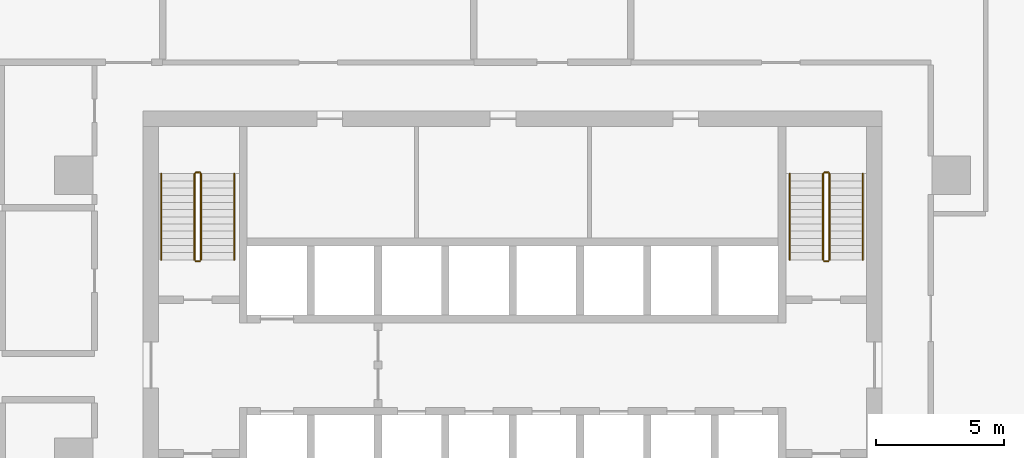
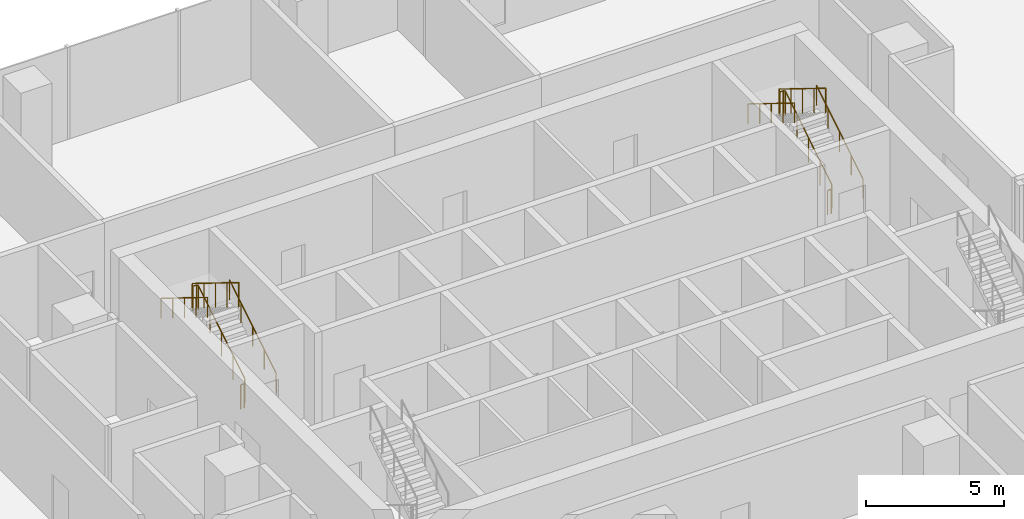
# One storey, part 14 of 15: 10 railings.
"""IFC4 building model written with IfcOpenShell, lengths in metres."""

import ifcopenshell
import ifcopenshell.guid

model = None  # the IFC model being written
_history = None  # IfcOwnerHistory: only IFC2X3 demands one
_inside = {}  # id of a spatial element -> (the spatial element, [elements in it])
_under = {}  # id of a project, library or spatial element -> (it, [spatial elements below it])
_declared = {}  # id of a project -> (the project, [libraries it declares])
_typed = {}  # id of a type object -> (the type object, [elements of that type])
_made_of = {}  # id of a material, layer set ... -> (it, [elements and type objects made of it])


def new_model(schema):
    """Start an empty IFC model of exactly this schema.

    Asked for "IFC4X3", IfcOpenShell would pick the latest addendum, in which some entities
    have other attributes; the version numbers below select the first issue.
    IFC2X3 requires an IfcOwnerHistory on every rooted entity: one is made here for all.
    """
    global model, _history
    if schema == "IFC4X3":
        model = ifcopenshell.file(schema_version=(4, 3, 0, 0))
    else:
        model = ifcopenshell.file(schema=schema)
    _inside.clear()
    _under.clear()
    _declared.clear()
    _typed.clear()
    _made_of.clear()
    _history = None
    if model.schema == "IFC2X3":
        org = make("IfcOrganization", Name="unknown")
        user = make(
            "IfcPersonAndOrganization",
            ThePerson=make("IfcPerson", FamilyName="unknown"),
            TheOrganization=org,
        )
        app = make(
            "IfcApplication",
            ApplicationDeveloper=org,
            Version="unknown",
            ApplicationFullName="unknown",
            ApplicationIdentifier="unknown",
        )
        _history = make(
            "IfcOwnerHistory",
            OwningUser=user,
            OwningApplication=app,
            ChangeAction="ADDED",
            CreationDate=0,
        )
    return model


def make(cls, **values):
    """One entity of the class cls with the attributes given. An attribute that is None is left unset."""
    return model.create_entity(
        cls, **{name: value for name, value in values.items() if value is not None}
    )


def rooted(cls, **values):
    """An entity with a GlobalId (a new one), such as an element, a storey or a relation."""
    return make(cls, GlobalId=ifcopenshell.guid.new(), OwnerHistory=_history, **values)


def si_unit(unit_type, name, prefix=None):
    """IfcSIUnit, for example si_unit("LENGTHUNIT", "METRE", prefix="MILLI")."""
    return make("IfcSIUnit", UnitType=unit_type, Prefix=prefix, Name=name)


def assignment(units):
    """IfcUnitAssignment: the units of a project."""
    return None if units is None else make("IfcUnitAssignment", Units=units)


def point(xyz):
    """IfcCartesianPoint."""
    return None if xyz is None else make("IfcCartesianPoint", Coordinates=xyz)


def direction(xyz):
    """IfcDirection."""
    return None if xyz is None else make("IfcDirection", DirectionRatios=xyz)


def frame(location, z_axis=None, x_axis=None):
    """IfcAxis2Placement3D, a coordinate frame: its origin and axes. An axis left out is left unset."""
    return make(
        "IfcAxis2Placement3D",
        Location=point(location),
        Axis=direction(z_axis),
        RefDirection=direction(x_axis),
    )


def frame_2d(location, x_axis=None):
    """IfcAxis2Placement2D, a coordinate frame in the plane: its origin and x axis."""
    return make(
        "IfcAxis2Placement2D", Location=point(location), RefDirection=direction(x_axis)
    )


def origin():
    """The frame at (0, 0, 0) with its axes left unset."""
    return frame((0.0, 0.0, 0.0))


def origin_2d():
    """The frame at (0, 0) in the plane with its x axis left unset."""
    return frame_2d((0.0, 0.0))


def place(relative_to, where):
    """IfcLocalPlacement: puts the frame where relative to a parent placement (None: the world)."""
    return make(
        "IfcLocalPlacement", PlacementRelTo=relative_to, RelativePlacement=where
    )


def context(
    kind, dimensions, precision=None, world=None, true_north=None, identifier=None
):
    """IfcGeometricRepresentationContext, for example the 3D "Model" context."""
    return make(
        "IfcGeometricRepresentationContext",
        ContextIdentifier=identifier,
        ContextType=kind,
        CoordinateSpaceDimension=dimensions,
        Precision=precision,
        WorldCoordinateSystem=world,
        TrueNorth=true_north,
    )


def subcontext(parent, identifier, kind, view, scale=None):
    """IfcGeometricRepresentationSubContext, for example "Body" below "Model"."""
    return make(
        "IfcGeometricRepresentationSubContext",
        ContextIdentifier=identifier,
        ContextType=kind,
        ParentContext=parent,
        TargetScale=scale,
        TargetView=view,
    )


def project(units=None, contexts=None):
    """IfcProject with its units and contexts."""
    return rooted(
        "IfcProject",
        Name="project",
        RepresentationContexts=contexts,
        UnitsInContext=assignment(units),
    )


def spatial(cls, under=None, at=None, **own):
    """A site, building, storey or space (cls), placed at a placement, below another one or the project."""
    s = rooted(cls, ObjectPlacement=at, **own)
    if under is not None:
        _under.setdefault(under.id(), (under, []))[1].append(s)
    return s


def profile(cls, at=None, kind="AREA", **sizes):
    """A parametric profile (cls). Its sizes go by their IFC names, for example OverallWidth=200.0."""
    return make(cls, ProfileType=kind, Position=at, **sizes)


def circle(**sizes):
    """IfcCircleProfileDef."""
    return profile("IfcCircleProfileDef", **sizes)


def extrude(swept, where, along, depth):
    """IfcExtrudedAreaSolid: the profile swept, set in the frame where, extruded along a direction by depth."""
    return make(
        "IfcExtrudedAreaSolid",
        SweptArea=swept,
        Position=where,
        ExtrudedDirection=direction(along),
        Depth=depth,
    )


def shape(context_of_items, identifier, shape_type, items):
    """IfcShapeRepresentation: the items that make up one representation, for example the "Body"."""
    return make(
        "IfcShapeRepresentation",
        ContextOfItems=context_of_items,
        RepresentationIdentifier=identifier,
        RepresentationType=shape_type,
        Items=items,
    )


def material(Name=None, Category=None):
    """IfcMaterial."""
    return make("IfcMaterial", Name=Name, Category=Category)


def made_of(thing, what):
    """Note that an element or type object is made of a material, layer set ...; save() writes the relation."""
    if what is not None:
        _made_of.setdefault(what.id(), (what, []))[1].append(thing)
    return thing


def type_object(cls, material=None, **own):
    """A type object (cls), such as IfcWallType, which elements share."""
    return made_of(rooted(cls, **own), material)


def element(
    cls,
    number,
    at=None,
    inside=None,
    cuts=None,
    type_object=None,
    material=None,
    context=None,
    identifier="Body",
    shape_type=None,
    held_by="IfcProductDefinitionShape",
    body=None,
    shapes=None,
    **own,
):
    """One element of the class cls, such as IfcWall. Its Tag is "e" and its number.

    at: its placement. inside: the storey or other place that contains it. cuts: it is an
    opening in that element (IfcRelVoidsElement). A single representation is given by context,
    identifier, shape_type and body (its items); several are given by shapes. held_by: the class
    of the entity that holds the representations. save() writes the other relations.
    """
    e = rooted(cls, Tag="e%d" % number, ObjectPlacement=at, **own)
    if body is not None:
        shapes = [shape(context, identifier, shape_type, body)]
    if shapes is not None:
        e.Representation = make(held_by, Representations=shapes)
    if inside is not None:
        _inside.setdefault(inside.id(), (inside, []))[1].append(e)
    if cuts is not None:
        rooted(
            "IfcRelVoidsElement", RelatingBuildingElement=cuts, RelatedOpeningElement=e
        )
    if type_object is not None:
        _typed.setdefault(type_object.id(), (type_object, []))[1].append(e)
    return made_of(e, material)


def aggregate(whole, parts):
    """IfcRelAggregates: a whole, such as a stair, and the parts it consists of."""
    return rooted("IfcRelAggregates", RelatingObject=whole, RelatedObjects=parts)


def save(model, path):
    """Write the relations noted so far, then the file.

    IfcRelAggregates (storeys below a building ...), IfcRelContainedInSpatialStructure (elements
    in a storey), IfcRelDefinesByType, IfcRelAssociatesMaterial and IfcRelDeclares: one each for
    every whole, place, type object, material and project.
    """
    for whole, parts in _under.values():
        aggregate(whole, parts)
    for where, things in _inside.values():
        rooted(
            "IfcRelContainedInSpatialStructure",
            RelatedElements=things,
            RelatingStructure=where,
        )
    for kind, things in _typed.values():
        rooted("IfcRelDefinesByType", RelatedObjects=things, RelatingType=kind)
    for what, things in _made_of.values():
        rooted("IfcRelAssociatesMaterial", RelatedObjects=things, RelatingMaterial=what)
    for by, libraries in _declared.values():
        rooted("IfcRelDeclares", RelatingContext=by, RelatedDefinitions=libraries)
    model.write(path)


model = new_model("IFC4")

# Units and contexts
model_context = context("Model", 3, precision=1e-05, world=origin(), true_north=direction((0.0, 1.0)))
body_context = subcontext(model_context, "Body", "Model", "MODEL_VIEW")
ifc_project = project(units=[si_unit("LENGTHUNIT", "METRE"), si_unit("AREAUNIT", "SQUARE_METRE"), si_unit("VOLUMEUNIT", "CUBIC_METRE"), si_unit("PLANEANGLEUNIT", "RADIAN"), si_unit("MASSUNIT", "GRAM", prefix="KILO")], contexts=[model_context])

# Site, building, storey
site_placement = place(None, origin())
site = spatial("IfcSite", under=ifc_project, at=site_placement, CompositionType="ELEMENT")
building_placement = place(site_placement, origin())
building = spatial("IfcBuilding", under=site, at=building_placement, Name="Mopane Tessera Tower", CompositionType="ELEMENT")
storey_placement = place(building_placement, frame((0.0, 0.0, 112.60009765625)))
storey = spatial("IfcBuildingStorey", under=building, at=storey_placement, Name="L22", CompositionType="ELEMENT", Elevation=112.60009765625)

# Railings
ifc_material_1 = material(Name="Powder-coated steel balustrade", Category="steel")
railing_type_1 = type_object("IfcRailingType", Name="Escape stair guard 1100 mm", PredefinedType="GUARDRAIL", material=ifc_material_1)
railing_1_placement = place(storey_placement, frame((-12.14990234375, 7.699951171875, 0.173095703125)))
element("IfcRailing", 1, at=railing_1_placement, inside=storey, type_object=railing_type_1, Name="L22 ST2 stair guard 1", PredefinedType="GUARDRAIL", context=body_context, shape_type="SweptSolid", body=[
    extrude(circle(Radius=0.02392578125, at=origin_2d()), frame((0.0, 0.0, 1.076171875), z_axis=(0.0, 0.850623216509, 0.525775754039), x_axis=(-1.0, 0.0, 0.0)), (0.0, 0.0, 1.0), 3.9501953125),
    extrude(circle(Radius=0.02392578125, at=origin_2d()), frame((0.0, 3.360107421875, 3.15283203125), z_axis=(-0.707106781187, 0.707106781187, 0.0), x_axis=(-0.707106781187, -0.707106781187, 0.0)), (0.0, 0.0, 1.0), 0.07080078125),
    extrude(circle(Radius=0.02392578125, at=origin_2d()), frame((-0.050048828125, 3.41015625, 3.15283203125), z_axis=(-1.0, 0.0, 0.0), x_axis=(0.0, -1.0, 0.0)), (0.0, 0.0, 1.0), 0.150146484375),
    extrude(circle(Radius=0.02099609375, at=origin_2d()), origin(), (0.0, 0.0, 1.0), 1.052001953125),
    extrude(circle(Radius=0.02099609375, at=origin_2d()), frame((0.0, 0.840087890625, 0.519287109375)), (0.0, 0.0, 1.0), 1.052001953125),
    extrude(circle(Radius=0.02099609375, at=origin_2d()), frame((0.0, 1.68017578125, 1.03857421875)), (0.0, 0.0, 1.0), 1.052001953125),
    extrude(circle(Radius=0.02099609375, at=origin_2d()), frame((0.0, 2.52001953125, 1.5576171875)), (0.0, 0.0, 1.0), 1.052001953125),
    extrude(circle(Radius=0.02099609375, at=origin_2d()), frame((0.0, 3.360107421875, 2.076904296875)), (0.0, 0.0, 1.0), 1.052001953125),
    extrude(circle(Radius=0.02099609375, at=origin_2d()), frame((-0.050048828125, 3.41015625, 2.076904296875)), (0.0, 0.0, 1.0), 1.052001953125),
    extrude(circle(Radius=0.02099609375, at=origin_2d()), frame((-0.2001953125, 3.41015625, 2.076904296875)), (0.0, 0.0, 1.0), 1.052001953125),
])
railing_2_placement = place(storey_placement, frame((-12.39990234375, 11.06005859375, 2.423095703125)))
element("IfcRailing", 2, at=railing_2_placement, inside=storey, type_object=railing_type_1, Name="L22 ST2 stair guard 2", PredefinedType="GUARDRAIL", context=body_context, shape_type="SweptSolid", body=[
    extrude(circle(Radius=0.02392578125, at=origin_2d()), frame((0.0, 0.0, 1.076171875), z_axis=(0.0, -0.850623216509, 0.525775754039), x_axis=(1.0, 0.0, 0.0)), (0.0, 0.0, 1.0), 3.9501953125),
    extrude(circle(Radius=0.02099609375, at=origin_2d()), origin(), (0.0, 0.0, 1.0), 1.052001953125),
    extrude(circle(Radius=0.02099609375, at=origin_2d()), frame((0.0, -0.840087890625, 0.519287109375)), (0.0, 0.0, 1.0), 1.052001953125),
    extrude(circle(Radius=0.02099609375, at=origin_2d()), frame((0.0, -1.68017578125, 1.03857421875)), (0.0, 0.0, 1.0), 1.052001953125),
    extrude(circle(Radius=0.02099609375, at=origin_2d()), frame((0.0, -2.52001953125, 1.5576171875)), (0.0, 0.0, 1.0), 1.052001953125),
    extrude(circle(Radius=0.02099609375, at=origin_2d()), frame((0.0, -3.360107421875, 2.076904296875)), (0.0, 0.0, 1.0), 1.052001953125),
])
railing_3_placement = place(storey_placement, frame((-12.199951171875, 7.64990234375, 0.0)))
element("IfcRailing", 3, at=railing_3_placement, inside=storey, type_object=railing_type_1, Name="L22 ST2 stair guard 3", PredefinedType="GUARDRAIL", context=body_context, shape_type="SweptSolid", body=[
    extrude(circle(Radius=0.02392578125, at=origin_2d()), frame((0.0, 0.0, 1.076171875), z_axis=(-1.0, 0.0, 0.0), x_axis=(0.0, -1.0, 0.0)), (0.0, 0.0, 1.0), 0.150146484375),
    extrude(circle(Radius=0.02099609375, at=origin_2d()), origin(), (0.0, 0.0, 1.0), 1.052001953125),
    extrude(circle(Radius=0.02099609375, at=origin_2d()), frame((-0.150146484375, 0.0, 0.0)), (0.0, 0.0, 1.0), 1.052001953125),
])
railing_4_placement = place(storey_placement, frame((12.35009765625, 7.699951171875, 0.173095703125)))
element("IfcRailing", 4, at=railing_4_placement, inside=storey, type_object=railing_type_1, Name="L22 ST4 stair guard 1", PredefinedType="GUARDRAIL", context=body_context, shape_type="SweptSolid", body=[
    extrude(circle(Radius=0.02392578125, at=origin_2d()), frame((0.0, 0.0, 1.076171875), z_axis=(0.0, 0.850623216509, 0.525775754039), x_axis=(-1.0, 0.0, 0.0)), (0.0, 0.0, 1.0), 3.9501953125),
    extrude(circle(Radius=0.02392578125, at=origin_2d()), frame((0.0, 3.360107421875, 3.15283203125), z_axis=(-0.707106781187, 0.707106781187, 0.0), x_axis=(-0.707106781187, -0.707106781187, 0.0)), (0.0, 0.0, 1.0), 0.07080078125),
    extrude(circle(Radius=0.02392578125, at=origin_2d()), frame((-0.050048828125, 3.41015625, 3.15283203125), z_axis=(-1.0, 0.0, 0.0), x_axis=(0.0, -1.0, 0.0)), (0.0, 0.0, 1.0), 0.150146484375),
    extrude(circle(Radius=0.02099609375, at=origin_2d()), origin(), (0.0, 0.0, 1.0), 1.052001953125),
    extrude(circle(Radius=0.02099609375, at=origin_2d()), frame((0.0, 0.840087890625, 0.519287109375)), (0.0, 0.0, 1.0), 1.052001953125),
    extrude(circle(Radius=0.02099609375, at=origin_2d()), frame((0.0, 1.68017578125, 1.03857421875)), (0.0, 0.0, 1.0), 1.052001953125),
    extrude(circle(Radius=0.02099609375, at=origin_2d()), frame((0.0, 2.52001953125, 1.5576171875)), (0.0, 0.0, 1.0), 1.052001953125),
    extrude(circle(Radius=0.02099609375, at=origin_2d()), frame((0.0, 3.360107421875, 2.076904296875)), (0.0, 0.0, 1.0), 1.052001953125),
    extrude(circle(Radius=0.02099609375, at=origin_2d()), frame((-0.050048828125, 3.41015625, 2.076904296875)), (0.0, 0.0, 1.0), 1.052001953125),
    extrude(circle(Radius=0.02099609375, at=origin_2d()), frame((-0.2001953125, 3.41015625, 2.076904296875)), (0.0, 0.0, 1.0), 1.052001953125),
])
railing_5_placement = place(storey_placement, frame((12.10009765625, 11.06005859375, 2.423095703125)))
element("IfcRailing", 5, at=railing_5_placement, inside=storey, type_object=railing_type_1, Name="L22 ST4 stair guard 2", PredefinedType="GUARDRAIL", context=body_context, shape_type="SweptSolid", body=[
    extrude(circle(Radius=0.02392578125, at=origin_2d()), frame((0.0, 0.0, 1.076171875), z_axis=(0.0, -0.850623216509, 0.525775754039), x_axis=(1.0, 0.0, 0.0)), (0.0, 0.0, 1.0), 3.9501953125),
    extrude(circle(Radius=0.02099609375, at=origin_2d()), origin(), (0.0, 0.0, 1.0), 1.052001953125),
    extrude(circle(Radius=0.02099609375, at=origin_2d()), frame((0.0, -0.840087890625, 0.519287109375)), (0.0, 0.0, 1.0), 1.052001953125),
    extrude(circle(Radius=0.02099609375, at=origin_2d()), frame((0.0, -1.68017578125, 1.03857421875)), (0.0, 0.0, 1.0), 1.052001953125),
    extrude(circle(Radius=0.02099609375, at=origin_2d()), frame((0.0, -2.52001953125, 1.5576171875)), (0.0, 0.0, 1.0), 1.052001953125),
    extrude(circle(Radius=0.02099609375, at=origin_2d()), frame((0.0, -3.360107421875, 2.076904296875)), (0.0, 0.0, 1.0), 1.052001953125),
])
railing_6_placement = place(storey_placement, frame((12.300048828125, 7.64990234375, 0.0)))
element("IfcRailing", 6, at=railing_6_placement, inside=storey, type_object=railing_type_1, Name="L22 ST4 stair guard 3", PredefinedType="GUARDRAIL", context=body_context, shape_type="SweptSolid", body=[
    extrude(circle(Radius=0.02392578125, at=origin_2d()), frame((0.0, 0.0, 1.076171875), z_axis=(-1.0, 0.0, 0.0), x_axis=(0.0, -1.0, 0.0)), (0.0, 0.0, 1.0), 0.150146484375),
    extrude(circle(Radius=0.02099609375, at=origin_2d()), origin(), (0.0, 0.0, 1.0), 1.052001953125),
    extrude(circle(Radius=0.02099609375, at=origin_2d()), frame((-0.150146484375, 0.0, 0.0)), (0.0, 0.0, 1.0), 1.052001953125),
])
ifc_material_2 = material(Name="Powder-coated steel balustrade", Category="steel")
railing_type_2 = type_object("IfcRailingType", Name="Escape stair handrail 900 mm", PredefinedType="HANDRAIL", material=ifc_material_2)
railing_7_placement = place(storey_placement, frame((-10.85009765625, 7.699951171875, 0.173095703125)))
element("IfcRailing", 7, at=railing_7_placement, inside=storey, type_object=railing_type_2, Name="L22 ST2 stair handrail 1", PredefinedType="HANDRAIL", context=body_context, shape_type="SweptSolid", body=[
    extrude(circle(Radius=0.02392578125, at=origin_2d()), frame((0.0, 0.0, 0.8759765625), z_axis=(0.0, 0.850623216509, 0.525775754039), x_axis=(-1.0, 0.0, 0.0)), (0.0, 0.0, 1.0), 3.9501953125),
    extrude(circle(Radius=0.02099609375, at=origin_2d()), origin(), (0.0, 0.0, 1.0), 0.851806640625),
    extrude(circle(Radius=0.02099609375, at=origin_2d()), frame((0.0, 0.840087890625, 0.519287109375)), (0.0, 0.0, 1.0), 0.851806640625),
    extrude(circle(Radius=0.02099609375, at=origin_2d()), frame((0.0, 1.68017578125, 1.03857421875)), (0.0, 0.0, 1.0), 0.851806640625),
    extrude(circle(Radius=0.02099609375, at=origin_2d()), frame((0.0, 2.52001953125, 1.5576171875)), (0.0, 0.0, 1.0), 0.851806640625),
    extrude(circle(Radius=0.02099609375, at=origin_2d()), frame((0.0, 3.360107421875, 2.076904296875)), (0.0, 0.0, 1.0), 0.851806640625),
])
railing_8_placement = place(storey_placement, frame((-13.699951171875, 11.06005859375, 2.423095703125)))
element("IfcRailing", 8, at=railing_8_placement, inside=storey, type_object=railing_type_2, Name="L22 ST2 stair handrail 2", PredefinedType="HANDRAIL", context=body_context, shape_type="SweptSolid", body=[
    extrude(circle(Radius=0.02392578125, at=origin_2d()), frame((0.0, 0.0, 0.8759765625), z_axis=(0.0, -0.850623216509, 0.525775754039), x_axis=(1.0, 0.0, 0.0)), (0.0, 0.0, 1.0), 3.9501953125),
    extrude(circle(Radius=0.02099609375, at=origin_2d()), origin(), (0.0, 0.0, 1.0), 0.851806640625),
    extrude(circle(Radius=0.02099609375, at=origin_2d()), frame((0.0, -0.840087890625, 0.519287109375)), (0.0, 0.0, 1.0), 0.851806640625),
    extrude(circle(Radius=0.02099609375, at=origin_2d()), frame((0.0, -1.68017578125, 1.03857421875)), (0.0, 0.0, 1.0), 0.851806640625),
    extrude(circle(Radius=0.02099609375, at=origin_2d()), frame((0.0, -2.52001953125, 1.5576171875)), (0.0, 0.0, 1.0), 0.851806640625),
    extrude(circle(Radius=0.02099609375, at=origin_2d()), frame((0.0, -3.360107421875, 2.076904296875)), (0.0, 0.0, 1.0), 0.851806640625),
])
railing_9_placement = place(storey_placement, frame((13.64990234375, 7.699951171875, 0.173095703125)))
element("IfcRailing", 9, at=railing_9_placement, inside=storey, type_object=railing_type_2, Name="L22 ST4 stair handrail 1", PredefinedType="HANDRAIL", context=body_context, shape_type="SweptSolid", body=[
    extrude(circle(Radius=0.02392578125, at=origin_2d()), frame((0.0, 0.0, 0.8759765625), z_axis=(0.0, 0.850623216509, 0.525775754039), x_axis=(-1.0, 0.0, 0.0)), (0.0, 0.0, 1.0), 3.9501953125),
    extrude(circle(Radius=0.02099609375, at=origin_2d()), origin(), (0.0, 0.0, 1.0), 0.851806640625),
    extrude(circle(Radius=0.02099609375, at=origin_2d()), frame((0.0, 0.840087890625, 0.519287109375)), (0.0, 0.0, 1.0), 0.851806640625),
    extrude(circle(Radius=0.02099609375, at=origin_2d()), frame((0.0, 1.68017578125, 1.03857421875)), (0.0, 0.0, 1.0), 0.851806640625),
    extrude(circle(Radius=0.02099609375, at=origin_2d()), frame((0.0, 2.52001953125, 1.5576171875)), (0.0, 0.0, 1.0), 0.851806640625),
    extrude(circle(Radius=0.02099609375, at=origin_2d()), frame((0.0, 3.360107421875, 2.076904296875)), (0.0, 0.0, 1.0), 0.851806640625),
])
railing_10_placement = place(storey_placement, frame((10.800048828125, 11.06005859375, 2.423095703125)))
element("IfcRailing", 10, at=railing_10_placement, inside=storey, type_object=railing_type_2, Name="L22 ST4 stair handrail 2", PredefinedType="HANDRAIL", context=body_context, shape_type="SweptSolid", body=[
    extrude(circle(Radius=0.02392578125, at=origin_2d()), frame((0.0, 0.0, 0.8759765625), z_axis=(0.0, -0.850623216509, 0.525775754039), x_axis=(1.0, 0.0, 0.0)), (0.0, 0.0, 1.0), 3.9501953125),
    extrude(circle(Radius=0.02099609375, at=origin_2d()), origin(), (0.0, 0.0, 1.0), 0.851806640625),
    extrude(circle(Radius=0.02099609375, at=origin_2d()), frame((0.0, -0.840087890625, 0.519287109375)), (0.0, 0.0, 1.0), 0.851806640625),
    extrude(circle(Radius=0.02099609375, at=origin_2d()), frame((0.0, -1.68017578125, 1.03857421875)), (0.0, 0.0, 1.0), 0.851806640625),
    extrude(circle(Radius=0.02099609375, at=origin_2d()), frame((0.0, -2.52001953125, 1.5576171875)), (0.0, 0.0, 1.0), 0.851806640625),
    extrude(circle(Radius=0.02099609375, at=origin_2d()), frame((0.0, -3.360107421875, 2.076904296875)), (0.0, 0.0, 1.0), 0.851806640625),
])

save(model, "model.ifc")
